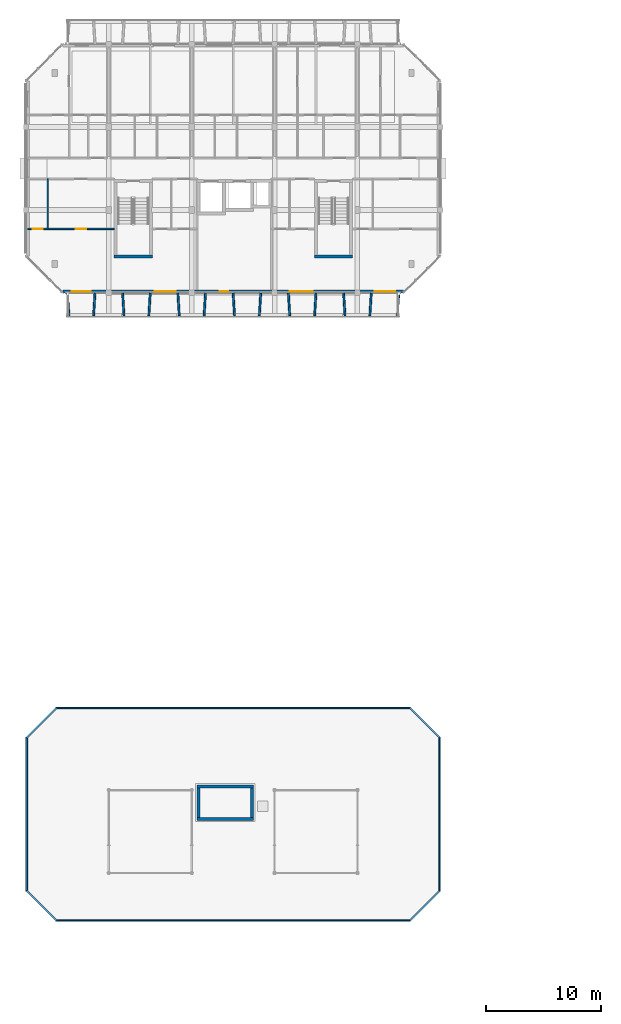
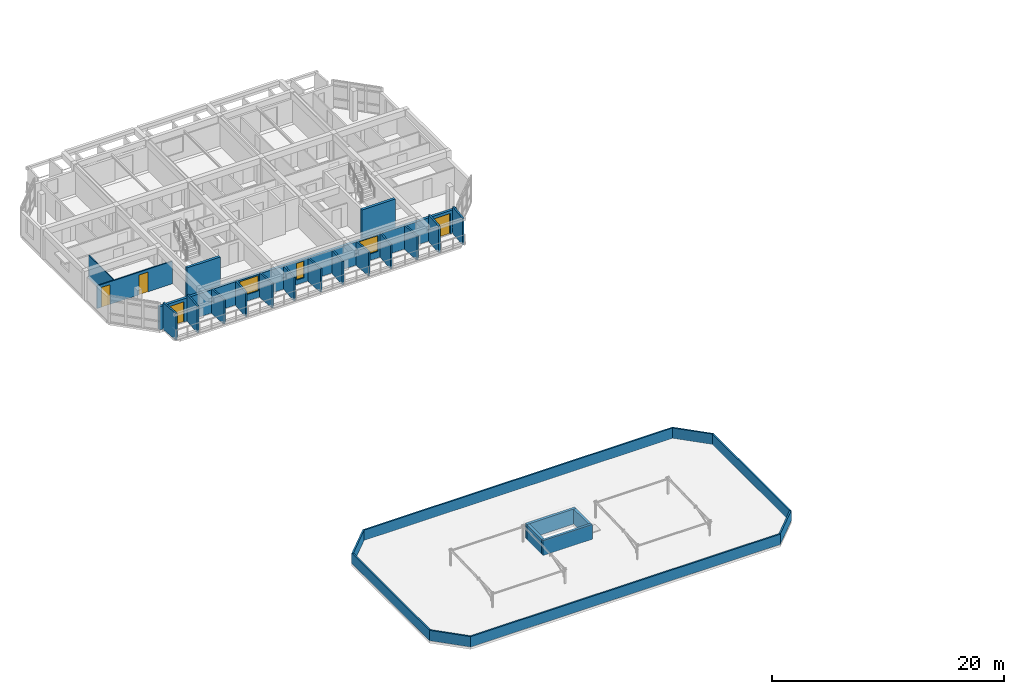
# One storey, part 21 of 43: 30 walls, 4 doors, 3 windows, 7 openings.
"""IFC4 building model written with IfcOpenShell, lengths in metres."""

from ifc_helpers import new_model, si_unit, direction, frame, frame_2d, origin, place, context, subcontext, project, spatial, rectangle, extrude, material, layer, layer_set, type_object, element, fill, save


model = new_model("IFC4")

# Units and contexts
model_context = context("Model", 3, precision=1e-05, world=origin(), true_north=direction((0.0, 1.0)))
body_context = subcontext(model_context, "Body", "Model", "MODEL_VIEW")
ifc_project = project(units=[si_unit("LENGTHUNIT", "METRE"), si_unit("AREAUNIT", "SQUARE_METRE"), si_unit("VOLUMEUNIT", "CUBIC_METRE"), si_unit("PLANEANGLEUNIT", "RADIAN"), si_unit("MASSUNIT", "GRAM", prefix="KILO")], contexts=[model_context])

# Site, building, storey
site_placement = place(None, origin())
site = spatial("IfcSite", under=ifc_project, at=site_placement, CompositionType="ELEMENT")
building_placement = place(site_placement, origin())
building = spatial("IfcBuilding", under=site, at=building_placement, Name="Ochrevale Crest", CompositionType="ELEMENT")
storey_placement = place(building_placement, frame((0.0, 0.0, 30.75)))
storey = spatial("IfcBuildingStorey", under=building, at=storey_placement, Name="L09", CompositionType="ELEMENT", Elevation=30.75)

# Walls
ifc_material_1 = material(Name="Precast concrete C50/60", Category="concrete")
ifc_layer_1 = layer(ifc_material_1, 0.2548828125)
ifc_layer_set_1 = layer_set([ifc_layer_1], Name="Precast concrete C50/60")
wall_type_1 = type_object("IfcWallType", Name="WL-CORE-255", PredefinedType="SHEAR", material=ifc_layer_set_1)
for number, where, z_axis, x_axis, name in (
    (1, (7.672607421875, 75.14990234375, 0.0), (0.0, 0.0, 1.0), (1.0, 0.0, 0.0), "Block B L09 Stair 1 precast core shear wall S"),
    (2, (25.072509765625, 75.14990234375, 0.0), (0.0, 0.0, 1.0), (1.0, 0.0, 0.0), "Block B L09 Stair 2 precast core shear wall S"),
):
    element("IfcWall", number, at=place(storey_placement, frame(where, z_axis=z_axis, x_axis=x_axis)), inside=storey, type_object=wall_type_1, Name=name, PredefinedType="SHEAR", context=body_context, shape_type="SweptSolid", body=[
        extrude(rectangle(XDim=3.304931640625, YDim=0.2548828125, at=frame_2d((1.65234375, 0.0))), origin(), (0.0, 0.0, 1.0), 3.14990234375),
    ])
ifc_layer_2 = layer(ifc_material_1, 0.2548828125)
ifc_layer_set_2 = layer_set([ifc_layer_2], Name="Precast concrete C50/60")
wall_type_2 = type_object("IfcWallType", Name="WL-CORE-EXT-255", PredefinedType="SHEAR", material=ifc_layer_set_2)
for number, where, z_axis, x_axis, name in (
    (3, (14.87255859375, 26.300048828125, 0.0), (0.0, 0.0, 1.0), (1.0, 0.0, 0.0), "Block A lift overrun enclosure wall S"),
    (4, (14.87255859375, 29.10009765625, 0.0), (0.0, 0.0, 1.0), (1.0, 0.0, 0.0), "Block A lift overrun enclosure wall N"),
):
    element("IfcWall", number, at=place(storey_placement, frame(where, z_axis=z_axis, x_axis=x_axis)), inside=storey, type_object=wall_type_2, Name=name, PredefinedType="SHEAR", context=body_context, shape_type="SweptSolid", body=[
        extrude(rectangle(XDim=4.905029296875, YDim=0.2548828125, at=frame_2d((2.45263671875, 0.0))), origin(), (0.0, 0.0, 1.0), 1.570068359375),
    ])
for number, where, z_axis, x_axis, name in (
    (5, (15.0, 26.427490234375, 0.0), (0.0, 0.0, 1.0), (0.0, 1.0, 0.0), "Block A lift overrun enclosure wall W"),
    (6, (19.64990234375, 26.427490234375, 0.0), (0.0, 0.0, 1.0), (0.0, 1.0, 0.0), "Block A lift overrun enclosure wall E"),
):
    element("IfcWall", number, at=place(storey_placement, frame(where, z_axis=z_axis, x_axis=x_axis)), inside=storey, type_object=wall_type_2, Name=name, PredefinedType="SHEAR", context=body_context, shape_type="SweptSolid", body=[
        extrude(rectangle(XDim=2.544921875, YDim=0.2548828125, at=frame_2d((1.2724609375, 0.0))), origin(), (0.0, 0.0, 1.0), 1.570068359375),
    ])

# Wall, openings, doors, windows
ifc_material_2 = material(Name="Precast concrete C40/50", Category="concrete")
ifc_layer_3 = layer(ifc_material_2, 0.25)
ifc_layer_set_3 = layer_set([ifc_layer_3], Name="Precast concrete C40/50")
wall_type_3 = type_object("IfcWallType", Name="WL-EXT-GOLD-250", PredefinedType="SOLIDWALL", material=ifc_layer_set_3)
wall_1_placement = place(storey_placement, frame((3.199951171875, 72.125, 0.0), z_axis=(0.0, 0.0, 1.0), x_axis=(1.0, 0.0, 0.0)))
wall_1 = element("IfcWall", 7, at=wall_1_placement, inside=storey, type_object=wall_type_3, Name="Block B L09 external facade wall E1", PredefinedType="SOLIDWALL", context=body_context, shape_type="SweptSolid", body=[
    extrude(rectangle(XDim=29.60009765625, YDim=0.25, at=frame_2d((14.800048828125, 0.0))), origin(), (0.0, 0.0, 1.0), 2.449951171875),
])
opening_1_placement = place(wall_1_placement, frame((2.4248046875, 0.0, 0.0), z_axis=(0.0, 0.0, 1.0), x_axis=(-1.0, 0.0, 0.0)))
opening_1 = element("IfcOpeningElement", 8, at=opening_1_placement, cuts=wall_1, Name="Opening BD02", PredefinedType="OPENING", context=body_context, shape_type="SweptSolid", body=[
    extrude(rectangle(XDim=1.64990234375, YDim=2.14990234375, at=frame_2d((0.824951171875, 1.074951171875))), frame((0.0, 0.135009765625, 0.0), z_axis=(0.0, -1.0, 0.0), x_axis=(1.0, 0.0, 0.0)), (0.0, 0.0, 1.0), 0.27001953125),
])
opening_2_placement = place(wall_1_placement, frame((28.900146484375, 0.0, 0.0), z_axis=(0.0, 0.0, 1.0), x_axis=(-1.0, 0.0, 0.0)))
opening_2 = element("IfcOpeningElement", 9, at=opening_2_placement, cuts=wall_1, Name="Opening BD03", PredefinedType="OPENING", context=body_context, shape_type="SweptSolid", body=[
    extrude(rectangle(XDim=1.800048828125, YDim=2.14990234375, at=frame_2d((0.89990234375, 1.074951171875))), frame((0.0, 0.135009765625, 0.0), z_axis=(0.0, -1.0, 0.0), x_axis=(1.0, 0.0, 0.0)), (0.0, 0.0, 1.0), 0.27001953125),
])
opening_3_placement = place(wall_1_placement, frame((13.6201171875, 0.0, 0.5)))
opening_3 = element("IfcOpeningElement", 10, at=opening_3_placement, cuts=wall_1, Name="Opening W16", PredefinedType="OPENING", context=body_context, shape_type="SweptSolid", body=[
    extrude(rectangle(XDim=0.75, YDim=1.75, at=frame_2d((0.375, 0.875))), frame((0.0, 0.135009765625, 0.0), z_axis=(0.0, -1.0, 0.0), x_axis=(1.0, 0.0, 0.0)), (0.0, 0.0, 1.0), 0.27001953125),
])
opening_4_placement = place(wall_1_placement, frame((19.72509765625, 0.0, 0.68994140625)))
opening_4 = element("IfcOpeningElement", 11, at=opening_4_placement, cuts=wall_1, Name="Opening W12", PredefinedType="OPENING", context=body_context, shape_type="SweptSolid", body=[
    extrude(rectangle(XDim=2.0, YDim=1.64990234375, at=frame_2d((1.0, 0.824951171875))), frame((0.0, 0.135009765625, 0.0), z_axis=(0.0, -1.0, 0.0), x_axis=(1.0, 0.0, 0.0)), (0.0, 0.0, 1.0), 0.27001953125),
])
opening_5_placement = place(wall_1_placement, frame((7.969970703125, 0.0, 0.699951171875)))
opening_5 = element("IfcOpeningElement", 12, at=opening_5_placement, cuts=wall_1, Name="Opening W11", PredefinedType="OPENING", context=body_context, shape_type="SweptSolid", body=[
    extrude(rectangle(XDim=1.860107421875, YDim=1.60009765625, at=frame_2d((0.93017578125, 0.800048828125))), frame((0.0, 0.135009765625, 0.0), z_axis=(0.0, -1.0, 0.0), x_axis=(1.0, 0.0, 0.0)), (0.0, 0.0, 1.0), 0.27001953125),
])
ifc_material_3 = material(Name="Anodised aluminium 6063-T5 and toughened glass", Category="aluminium")
door_type_1 = type_object("IfcDoorType", Name="DR-BAL-1650", OperationType="NOTDEFINED", PredefinedType="DOOR", material=ifc_material_3)
door_1_placement = place(opening_1_placement, origin())
door_1 = element("IfcDoor", 13, at=door_1_placement, inside=storey, type_object=door_type_1, Name="Block B L09 balcony door S1", OperationType="SINGLE_SWING_RIGHT", OverallHeight=2.14990234375, OverallWidth=1.64990234375, PredefinedType="DOOR", context=body_context, shape_type="SweptSolid", body=[
    extrude(rectangle(XDim=1.64990234375, YDim=2.14990234375, at=frame_2d((0.824951171875, 1.074951171875))), frame((0.0, 0.02490234375, 0.0), z_axis=(0.0, -1.0, 0.0), x_axis=(1.0, 0.0, 0.0)), (0.0, 0.0, 1.0), 0.050048828125),
])
fill(opening_1, door_1)
door_type_2 = type_object("IfcDoorType", Name="DR-BAL-1800", OperationType="NOTDEFINED", PredefinedType="DOOR", material=ifc_material_3)
door_2_placement = place(opening_2_placement, origin())
door_2 = element("IfcDoor", 14, at=door_2_placement, inside=storey, type_object=door_type_2, Name="Block B L09 balcony door S5", OperationType="SINGLE_SWING_LEFT", OverallHeight=2.14990234375, OverallWidth=1.800048828125, PredefinedType="DOOR", context=body_context, shape_type="SweptSolid", body=[
    extrude(rectangle(XDim=1.800048828125, YDim=2.14990234375, at=frame_2d((0.89990234375, 1.074951171875))), frame((0.0, 0.02490234375, 0.0), z_axis=(0.0, -1.0, 0.0), x_axis=(1.0, 0.0, 0.0)), (0.0, 0.0, 1.0), 0.050048828125),
])
fill(opening_2, door_2)
ifc_material_4 = material(Name="Anodised aluminium 6063-T5 and low-E double glazing", Category="aluminium")
window_type_1 = type_object("IfcWindowType", Name="WIN-W11", PartitioningType="SINGLE_PANEL", PredefinedType="WINDOW", material=ifc_material_4)
window_1_placement = place(opening_5_placement, origin())
window_1 = element("IfcWindow", 15, at=window_1_placement, inside=storey, type_object=window_type_1, Name="Block B L09 Suite B-L09-MW Courtyard Studio Living window", OverallHeight=1.60009765625, OverallWidth=1.860107421875, PartitioningType="SINGLE_PANEL", PredefinedType="WINDOW", context=body_context, shape_type="SweptSolid", body=[
    extrude(rectangle(XDim=1.860107421875, YDim=1.60009765625, at=frame_2d((0.93017578125, 0.800048828125))), frame((0.0, 0.030029296875, 0.0), z_axis=(0.0, -1.0, 0.0), x_axis=(1.0, 0.0, 0.0)), (0.0, 0.0, 1.0), 0.06005859375),
])
fill(opening_5, window_1)
window_type_2 = type_object("IfcWindowType", Name="WIN-W12", PartitioningType="SINGLE_PANEL", PredefinedType="WINDOW", material=ifc_material_4)
window_2_placement = place(opening_4_placement, origin())
window_2 = element("IfcWindow", 16, at=window_2_placement, inside=storey, type_object=window_type_2, Name="Block B L09 Suite B-L09-ME Garden Alcove Studio window", OverallHeight=1.64990234375, OverallWidth=2.0, PartitioningType="SINGLE_PANEL", PredefinedType="WINDOW", context=body_context, shape_type="SweptSolid", body=[
    extrude(rectangle(XDim=2.0, YDim=1.64990234375, at=frame_2d((1.0, 0.824951171875))), frame((0.0, 0.030029296875, 0.0), z_axis=(0.0, -1.0, 0.0), x_axis=(1.0, 0.0, 0.0)), (0.0, 0.0, 1.0), 0.06005859375),
])
fill(opening_4, window_2)
window_type_3 = type_object("IfcWindowType", Name="WIN-W16", PartitioningType="SINGLE_PANEL", PredefinedType="WINDOW", material=ifc_material_4)
window_3_placement = place(opening_3_placement, origin())
window_3 = element("IfcWindow", 17, at=window_3_placement, inside=storey, type_object=window_type_3, Name="Block B L09 core lancet window", OverallHeight=1.75, OverallWidth=0.75, PartitioningType="SINGLE_PANEL", PredefinedType="WINDOW", context=body_context, shape_type="SweptSolid", body=[
    extrude(rectangle(XDim=0.75, YDim=1.75, at=frame_2d((0.375, 0.875))), frame((0.0, 0.030029296875, 0.0), z_axis=(0.0, -1.0, 0.0), x_axis=(1.0, 0.0, 0.0)), (0.0, 0.0, 1.0), 0.06005859375),
])
fill(opening_3, window_3)

# Walls
ifc_layer_4 = layer(ifc_material_2, 0.1650390625)
ifc_layer_set_4 = layer_set([ifc_layer_4], Name="Precast concrete C40/50")
wall_type_4 = type_object("IfcWallType", Name="WL-HC-CHEEK-165", PredefinedType="ELEMENTEDWALL", material=ifc_layer_set_4)
wall_2_placement = place(storey_placement, frame((3.60009765625, 71.97998046875, 0.0), z_axis=(0.0, 0.0, 1.0), x_axis=(0.071194071069, -0.997462482625, 0.0)))
element("IfcWall", 18, at=wall_2_placement, inside=storey, type_object=wall_type_4, Name="Block B L09 S precast honeycomb cheek 1", PredefinedType="ELEMENTEDWALL", context=body_context, shape_type="SweptSolid", body=[
    extrude(rectangle(XDim=1.96484375, YDim=0.1650390625, at=frame_2d((0.982421875, 0.0))), origin(), (0.0, 0.0, 1.0), 2.800048828125),
])
wall_3_placement = place(storey_placement, frame((6.0, 71.97998046875, 0.0), z_axis=(0.0, 0.0, 1.0), x_axis=(-0.061170732449, -0.998127317276, 0.0)))
element("IfcWall", 19, at=wall_3_placement, inside=storey, type_object=wall_type_4, Name="Block B L09 S precast honeycomb cheek 2", PredefinedType="ELEMENTEDWALL", context=body_context, shape_type="SweptSolid", body=[
    extrude(rectangle(XDim=1.963623046875, YDim=0.1650390625, at=frame_2d((0.98193359375, 0.0))), origin(), (0.0, 0.0, 1.0), 2.800048828125),
])
for number, where, z_axis, x_axis, name in (
    (20, (8.39990234375, 71.97998046875, 0.0), (0.0, 0.0, 1.0), (0.061170732449, -0.998127317276, 0.0), "Block B L09 S precast honeycomb cheek 3"),
    (21, (10.800048828125, 71.97998046875, 0.0), (0.0, 0.0, 1.0), (-0.061170732449, -0.998127317276, 0.0), "Block B L09 S precast honeycomb cheek 4"),
    (22, (13.199951171875, 71.97998046875, 0.0), (0.0, 0.0, 1.0), (0.061170732449, -0.998127317276, 0.0), "Block B L09 S precast honeycomb cheek 5"),
):
    element("IfcWall", number, at=place(storey_placement, frame(where, z_axis=z_axis, x_axis=x_axis)), inside=storey, type_object=wall_type_4, Name=name, PredefinedType="ELEMENTEDWALL", context=body_context, shape_type="SweptSolid", body=[
        extrude(rectangle(XDim=1.963623046875, YDim=0.1650390625, at=frame_2d((0.98193359375, 0.0))), origin(), (0.0, 0.0, 1.0), 2.580078125),
    ])
for number, where, z_axis, x_axis, name in (
    (23, (15.60009765625, 71.97998046875, 0.0), (0.0, 0.0, 1.0), (-0.061170732449, -0.998127317276, 0.0), "Block B L09 S precast honeycomb cheek 6"),
    (24, (18.0, 71.97998046875, 0.0), (0.0, 0.0, 1.0), (0.061170732449, -0.998127317276, 0.0), "Block B L09 S precast honeycomb cheek 7"),
    (25, (20.39990234375, 71.97998046875, 0.0), (0.0, 0.0, 1.0), (-0.061046865508, -0.998134900808, 0.0), "Block B L09 S precast honeycomb cheek 8"),
):
    element("IfcWall", number, at=place(storey_placement, frame(where, z_axis=z_axis, x_axis=x_axis)), inside=storey, type_object=wall_type_4, Name=name, PredefinedType="ELEMENTEDWALL", context=body_context, shape_type="SweptSolid", body=[
        extrude(rectangle(XDim=1.963623046875, YDim=0.1650390625, at=frame_2d((0.98193359375, 0.0))), origin(), (0.0, 0.0, 1.0), 2.449951171875),
    ])
for number, where, z_axis, x_axis, name in (
    (26, (22.800048828125, 71.97998046875, 0.0), (0.0, 0.0, 1.0), (0.061046865508, -0.998134900808, 0.0), "Block B L09 S precast honeycomb cheek 9"),
    (27, (25.199951171875, 71.97998046875, 0.0), (0.0, 0.0, 1.0), (-0.061046865508, -0.998134900808, 0.0), "Block B L09 S precast honeycomb cheek 10"),
    (28, (27.60009765625, 71.97998046875, 0.0), (0.0, 0.0, 1.0), (0.061046865508, -0.998134900808, 0.0), "Block B L09 S precast honeycomb cheek 11"),
):
    element("IfcWall", number, at=place(storey_placement, frame(where, z_axis=z_axis, x_axis=x_axis)), inside=storey, type_object=wall_type_4, Name=name, PredefinedType="ELEMENTEDWALL", context=body_context, shape_type="SweptSolid", body=[
        extrude(rectangle(XDim=1.963623046875, YDim=0.1650390625, at=frame_2d((0.98193359375, 0.0))), origin(), (0.0, 0.0, 1.0), 2.530029296875),
    ])
wall_4_placement = place(storey_placement, frame((30.0, 71.97998046875, 0.0), z_axis=(0.0, 0.0, 1.0), x_axis=(-0.061170732449, -0.998127317276, 0.0)))
element("IfcWall", 29, at=wall_4_placement, inside=storey, type_object=wall_type_4, Name="Block B L09 S precast honeycomb cheek 12", PredefinedType="ELEMENTEDWALL", context=body_context, shape_type="SweptSolid", body=[
    extrude(rectangle(XDim=1.963623046875, YDim=0.1650390625, at=frame_2d((0.98193359375, 0.0))), origin(), (0.0, 0.0, 1.0), 2.800048828125),
])
wall_5_placement = place(storey_placement, frame((32.39990234375, 71.97998046875, 0.0), z_axis=(0.0, 0.0, 1.0), x_axis=(-0.071194071069, -0.997462482625, 0.0)))
element("IfcWall", 30, at=wall_5_placement, inside=storey, type_object=wall_type_4, Name="Block B L09 S precast honeycomb cheek 13", PredefinedType="ELEMENTEDWALL", context=body_context, shape_type="SweptSolid", body=[
    extrude(rectangle(XDim=1.96484375, YDim=0.1650390625, at=frame_2d((0.982421875, 0.0))), origin(), (0.0, 0.0, 1.0), 2.800048828125),
])
ifc_layer_5 = layer(ifc_material_2, 0.14990234375)
ifc_layer_set_5 = layer_set([ifc_layer_5], Name="Precast concrete C40/50")
wall_type_5 = type_object("IfcWallType", Name="WL-PARAPET-150", PredefinedType="PARAPET", material=ifc_layer_set_5)
wall_6_placement = place(storey_placement, frame((2.60009765625, 17.47998046875, 0.0), z_axis=(0.0, 0.0, 1.0), x_axis=(1.0, 0.0, 0.0)))
element("IfcWall", 31, at=wall_6_placement, inside=storey, type_object=wall_type_5, Name="Block A rooftop perimeter parapet wall 1", PredefinedType="PARAPET", context=body_context, shape_type="SweptSolid", body=[
    extrude(rectangle(XDim=30.7998046875, YDim=0.14990234375, at=frame_2d((15.39990234375, 0.0))), origin(), (0.0, 0.0, 1.0), 1.10009765625),
])
wall_7_placement = place(storey_placement, frame((33.343505859375, 17.45654296875, 0.0), z_axis=(0.0, 0.0, 1.0), x_axis=(0.707073581347, 0.707139979467, 0.0)))
element("IfcWall", 32, at=wall_7_placement, inside=storey, type_object=wall_type_5, Name="Block A rooftop perimeter parapet wall 2", PredefinedType="PARAPET", context=body_context, shape_type="SweptSolid", body=[
    extrude(rectangle(XDim=3.677001953125, YDim=0.14990234375, at=frame_2d((1.83837890625, 0.0))), origin(), (0.0, 0.0, 1.0), 1.10009765625),
])
wall_8_placement = place(storey_placement, frame((35.919921875, 20.0, 0.0), z_axis=(0.0, 0.0, 1.0), x_axis=(0.0, 1.0, 0.0)))
element("IfcWall", 33, at=wall_8_placement, inside=storey, type_object=wall_type_5, Name="Block A rooftop perimeter parapet wall 3", PredefinedType="PARAPET", context=body_context, shape_type="SweptSolid", body=[
    extrude(rectangle(XDim=13.39990234375, YDim=0.14990234375, at=frame_2d((6.699951171875, 0.0))), origin(), (0.0, 0.0, 1.0), 1.10009765625),
])
wall_9_placement = place(storey_placement, frame((35.943359375, 33.343505859375, 0.0), z_axis=(0.0, 0.0, 1.0), x_axis=(-0.707106781187, 0.707106781187, 0.0)))
element("IfcWall", 34, at=wall_9_placement, inside=storey, type_object=wall_type_5, Name="Block A rooftop perimeter parapet wall 4", PredefinedType="PARAPET", context=body_context, shape_type="SweptSolid", body=[
    extrude(rectangle(XDim=3.6767578125, YDim=0.14990234375, at=frame_2d((1.83837890625, 0.0))), origin(), (0.0, 0.0, 1.0), 1.10009765625),
])
wall_10_placement = place(storey_placement, frame((33.39990234375, 35.919921875, 0.0), z_axis=(0.0, 0.0, 1.0), x_axis=(-1.0, 0.0, 0.0)))
element("IfcWall", 35, at=wall_10_placement, inside=storey, type_object=wall_type_5, Name="Block A rooftop perimeter parapet wall 5", PredefinedType="PARAPET", context=body_context, shape_type="SweptSolid", body=[
    extrude(rectangle(XDim=30.7998046875, YDim=0.14990234375, at=frame_2d((15.39990234375, 0.0))), origin(), (0.0, 0.0, 1.0), 1.10009765625),
])
wall_11_placement = place(storey_placement, frame((2.656494140625, 35.943359375, 0.0), z_axis=(0.0, 0.0, 1.0), x_axis=(-0.707106781187, -0.707106781187, 0.0)))
element("IfcWall", 36, at=wall_11_placement, inside=storey, type_object=wall_type_5, Name="Block A rooftop perimeter parapet wall 6", PredefinedType="PARAPET", context=body_context, shape_type="SweptSolid", body=[
    extrude(rectangle(XDim=3.6767578125, YDim=0.14990234375, at=frame_2d((1.83837890625, 0.0))), origin(), (0.0, 0.0, 1.0), 1.10009765625),
])
wall_12_placement = place(storey_placement, frame((0.080078125, 33.39990234375, 0.0), z_axis=(0.0, 0.0, 1.0), x_axis=(0.0, -1.0, 0.0)))
element("IfcWall", 37, at=wall_12_placement, inside=storey, type_object=wall_type_5, Name="Block A rooftop perimeter parapet wall 7", PredefinedType="PARAPET", context=body_context, shape_type="SweptSolid", body=[
    extrude(rectangle(XDim=13.39990234375, YDim=0.14990234375, at=frame_2d((6.699951171875, 0.0))), origin(), (0.0, 0.0, 1.0), 1.10009765625),
])
wall_13_placement = place(storey_placement, frame((0.056640625, 20.056640625, 0.0), z_axis=(0.0, 0.0, 1.0), x_axis=(0.707073581347, -0.707139979467, 0.0)))
element("IfcWall", 38, at=wall_13_placement, inside=storey, type_object=wall_type_5, Name="Block A rooftop perimeter parapet wall 8", PredefinedType="PARAPET", context=body_context, shape_type="SweptSolid", body=[
    extrude(rectangle(XDim=3.677001953125, YDim=0.14990234375, at=frame_2d((1.83837890625, 0.0))), origin(), (0.0, 0.0, 1.0), 1.10009765625),
])

# Wall, openings, doors
ifc_material_5 = material(Name="Gypsum plasterboard", Category="gypsum")
ifc_layer_6 = layer(ifc_material_5, 0.1201171875)
ifc_layer_set_6 = layer_set([ifc_layer_6], Name="Gypsum plasterboard")
wall_type_6 = type_object("IfcWallType", Name="WL-PART-120", PredefinedType="PARTITIONING", material=ifc_layer_set_6)
wall_14_placement = place(storey_placement, frame((0.139892578125, 77.550048828125, 0.0), z_axis=(0.0, 0.0, 1.0), x_axis=(1.0, 0.0, 0.0)))
wall_14 = element("IfcWall", 39, at=wall_14_placement, inside=storey, type_object=wall_type_6, Name="Suite B-L09-CW internal wall", PredefinedType="PARTITIONING", context=body_context, shape_type="SweptSolid", body=[
    extrude(rectangle(XDim=7.52001953125, YDim=0.1201171875, at=frame_2d((3.760009765625, 0.0))), origin(), (0.0, 0.0, 1.0), 2.3798828125),
])
opening_6_placement = place(wall_14_placement, frame((0.449951171875, 0.0, 0.0)))
opening_6 = element("IfcOpeningElement", 40, at=opening_6_placement, cuts=wall_14, Name="Opening ID01", PredefinedType="OPENING", context=body_context, shape_type="SweptSolid", body=[
    extrude(rectangle(XDim=0.85009765625, YDim=2.080078125, at=frame_2d((0.425048828125, 1.0400390625))), frame((0.0, 0.070068359375, 0.0), z_axis=(0.0, -1.0, 0.0), x_axis=(1.0, 0.0, 0.0)), (0.0, 0.0, 1.0), 0.14013671875),
])
opening_7_placement = place(wall_14_placement, frame((5.094970703125, 0.0, 0.0), z_axis=(0.0, 0.0, 1.0), x_axis=(-1.0, 0.0, 0.0)))
opening_7 = element("IfcOpeningElement", 41, at=opening_7_placement, cuts=wall_14, Name="Opening ID04", PredefinedType="OPENING", context=body_context, shape_type="SweptSolid", body=[
    extrude(rectangle(XDim=0.919921875, YDim=2.080078125, at=frame_2d((0.4599609375, 1.0400390625))), frame((0.0, 0.070068359375, 0.0), z_axis=(0.0, -1.0, 0.0), x_axis=(1.0, 0.0, 0.0)), (0.0, 0.0, 1.0), 0.14013671875),
])
ifc_material_6 = material(Name="Solid-core FSC hardwood", Category="wood")
door_type_3 = type_object("IfcDoorType", Name="DR-INT-920", OperationType="NOTDEFINED", PredefinedType="DOOR", material=ifc_material_6)
door_3_placement = place(opening_7_placement, origin())
door_3 = element("IfcDoor", 42, at=door_3_placement, inside=storey, type_object=door_type_3, Name="Suite B-L09-CW Garden Alcove Studio door", OperationType="SINGLE_SWING_RIGHT", OverallHeight=2.080078125, OverallWidth=0.919921875, PredefinedType="DOOR", context=body_context, shape_type="SweptSolid", body=[
    extrude(rectangle(XDim=0.919921875, YDim=2.080078125, at=frame_2d((0.4599609375, 1.0400390625))), frame((0.0, 0.02490234375, 0.0), z_axis=(0.0, -1.0, 0.0), x_axis=(1.0, 0.0, 0.0)), (0.0, 0.0, 1.0), 0.050048828125),
])
fill(opening_7, door_3)
door_type_4 = type_object("IfcDoorType", Name="DR-WC-850", OperationType="NOTDEFINED", PredefinedType="DOOR", material=ifc_material_6)
door_4_placement = place(opening_6_placement, origin())
door_4 = element("IfcDoor", 43, at=door_4_placement, inside=storey, type_object=door_type_4, Name="Suite B-L09-CW Bathroom door", OperationType="SINGLE_SWING_LEFT", OverallHeight=2.080078125, OverallWidth=0.85009765625, PredefinedType="DOOR", context=body_context, shape_type="SweptSolid", body=[
    extrude(rectangle(XDim=0.85009765625, YDim=2.080078125, at=frame_2d((0.425048828125, 1.0400390625))), frame((0.0, 0.02490234375, 0.0), z_axis=(0.0, -1.0, 0.0), x_axis=(1.0, 0.0, 0.0)), (0.0, 0.0, 1.0), 0.050048828125),
])
fill(opening_6, door_4)

# Wall
ifc_layer_7 = layer(ifc_material_5, 0.10009765625)
ifc_layer_set_7 = layer_set([ifc_layer_7], Name="Gypsum plasterboard")
wall_type_7 = type_object("IfcWallType", Name="WL-WET-100", PredefinedType="PARTITIONING", material=ifc_layer_set_7)
wall_15_placement = place(storey_placement, frame((1.889892578125, 77.550048828125, 0.0), z_axis=(0.0, 0.0, 1.0), x_axis=(0.0, 1.0, 0.0)))
element("IfcWall", 44, at=wall_15_placement, inside=storey, type_object=wall_type_7, Name="Suite B-L09-CW bathroom divider", PredefinedType="PARTITIONING", context=body_context, shape_type="SweptSolid", body=[
    extrude(rectangle(XDim=4.349853515625, YDim=0.10009765625, at=frame_2d((2.1748046875, 0.0))), origin(), (0.0, 0.0, 1.0), 2.3798828125),
])

save(model, "model.ifc")
